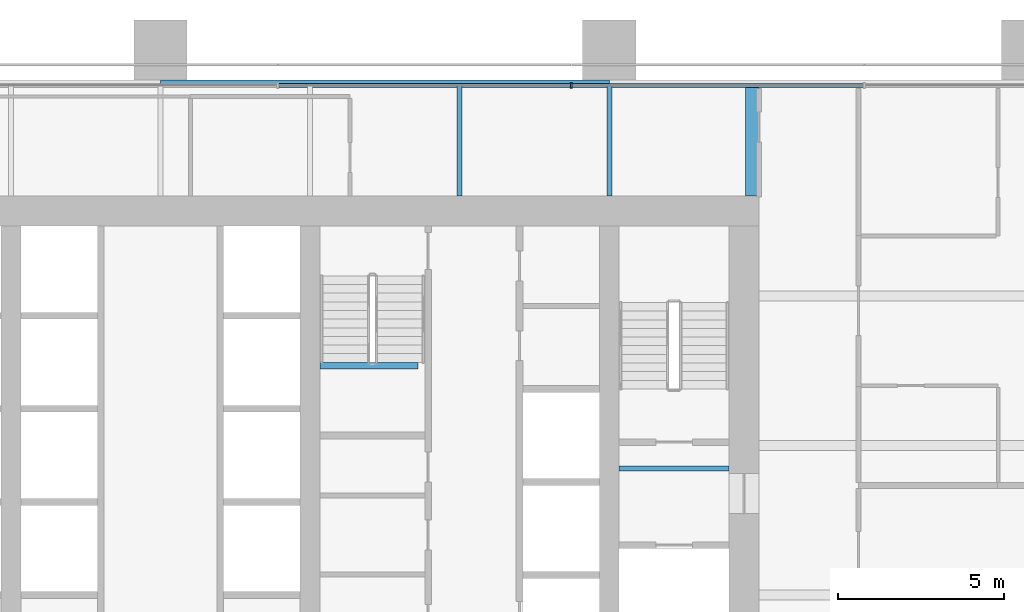
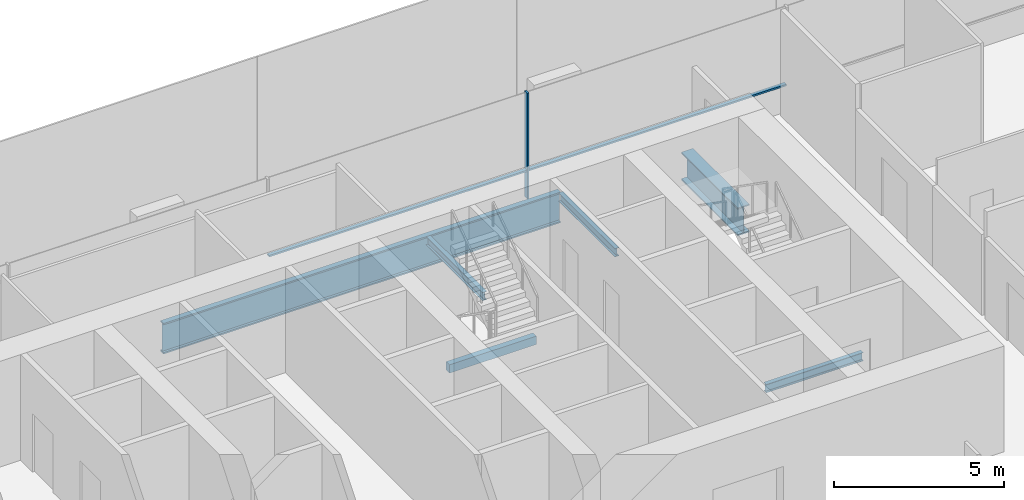
# One storey, part 9 of 19: 6 beams, 3 members, 1 element without a shape of its own.
"""IFC4 building model written with IfcOpenShell, lengths in metres."""

from ifc_helpers import new_model, si_unit, direction, frame, origin, origin_2d, place, context, subcontext, project, spatial, rectangle, i_section, extrude, material, material_profile, profile_set, type_object, element, aggregate, save


model = new_model("IFC4")

# Units and contexts
model_context = context("Model", 3, precision=1e-05, world=origin(), true_north=direction((0.0, 1.0)))
body_context = subcontext(model_context, "Body", "Model", "MODEL_VIEW")
ifc_project = project(units=[si_unit("LENGTHUNIT", "METRE"), si_unit("AREAUNIT", "SQUARE_METRE"), si_unit("VOLUMEUNIT", "CUBIC_METRE"), si_unit("PLANEANGLEUNIT", "RADIAN"), si_unit("MASSUNIT", "GRAM", prefix="KILO")], contexts=[model_context])

# Site, building, storey
site_placement = place(None, origin())
site = spatial("IfcSite", under=ifc_project, at=site_placement, CompositionType="ELEMENT")
building_placement = place(site_placement, origin())
building = spatial("IfcBuilding", under=site, at=building_placement, Name="Rattan Terrace Tower", CompositionType="ELEMENT")
storey_placement = place(building_placement, frame((0.0, 0.0, 103.699951171875)))
storey = spatial("IfcBuildingStorey", under=building, at=storey_placement, Name="L23", CompositionType="ELEMENT", Elevation=103.699951171875)

# Beam
ifc_material_1 = material(Name="Concrete C40/50", Category="concrete")
ifc_material_profile_1 = material_profile(ifc_material_1, rectangle(XDim=0.199951171875, YDim=0.300048828125, at=origin_2d()), Name="RC 200x300")
ifc_profile_set_1 = profile_set([ifc_material_profile_1], Name="Concrete C40/50")
beam_type_1 = type_object("IfcBeamType", Name="Core landing beam RC 200x300", PredefinedType="BEAM", material=ifc_profile_set_1)
beam_1_placement = place(storey_placement, frame((4.800048828125, 2.39990234375, 1.650146484375), z_axis=(1.0, 0.0, 0.0), x_axis=(0.0, 1.0, 0.0)))
element("IfcBeam", 1, at=beam_1_placement, inside=storey, type_object=beam_type_1, Name="st-S3-L23 landing 1 edge beam", PredefinedType="BEAM", context=body_context, shape_type="SweptSolid", body=[
    extrude(rectangle(XDim=0.199951171875, YDim=0.300048828125, at=origin_2d()), origin(), (0.0, 0.0, 1.0), 2.949951171875),
])

# Curtain wall, members
ifc_material_2 = material(Name="Aluminium and glass", Category="aluminium")
curtain_wall_type = type_object("IfcCurtainWallType", Name="Facade Unitised Curtain Wall", PredefinedType="NOTDEFINED", material=ifc_material_2)
curtain_wall_placement = place(storey_placement, origin())
curtain_wall = element("IfcCurtainWall", 2, at=curtain_wall_placement, inside=storey, type_object=curtain_wall_type, Name="Curtain wall L23-2", PredefinedType="NOTDEFINED")
ifc_material_3 = material(Name="Aluminium", Category="aluminium")
ifc_material_profile_2 = material_profile(ifc_material_3, rectangle(XDim=0.06005859375, YDim=0.159912109375, at=origin_2d()), Name="Aluminium 60x160")
ifc_profile_set_2 = profile_set([ifc_material_profile_2], Name="Aluminium")
member_type_1 = type_object("IfcMemberType", Name="Facade CW Mullion 60x160", PredefinedType="MULLION", material=ifc_profile_set_2)
member_1_placement = place(storey_placement, frame((12.35400390625, 10.830078125, 0.0), z_axis=(0.0, 0.0, 1.0), x_axis=(-1.0, 0.0, 0.0)))
member_1 = element("IfcMember", 3, at=member_1_placement, type_object=member_type_1, Name="Mullion cwl-L23-002.3", PredefinedType="MULLION", context=body_context, shape_type="SweptSolid", body=[
    extrude(rectangle(XDim=0.06005859375, YDim=0.159912109375, at=origin_2d()), origin(), (0.0, 0.0, 1.0), 3.800048828125),
])
ifc_material_4 = material(Name="Aluminium", Category="aluminium")
ifc_material_profile_3 = material_profile(ifc_material_4, rectangle(XDim=0.1201171875, YDim=0.06005859375, at=origin_2d()), Name="Aluminium 120x60")
ifc_profile_set_3 = profile_set([ifc_material_profile_3], Name="Aluminium")
member_type_2 = type_object("IfcMemberType", Name="Facade CW Transom 120x60", PredefinedType="USERDEFINED", material=ifc_profile_set_3)
member_2_placement = place(storey_placement, frame((21.14697265625, 10.830078125, 1.0), z_axis=(-1.0, 0.0, 0.0), x_axis=(0.0, -1.0, 0.0)))
member_2 = element("IfcMember", 4, at=member_2_placement, type_object=member_type_2, Name="Transom cwl-L23-002.2", ObjectType="TRANSOM", PredefinedType="USERDEFINED", context=body_context, shape_type="SweptSolid", body=[
    extrude(rectangle(XDim=0.1201171875, YDim=0.06005859375, at=origin_2d()), origin(), (0.0, 0.0, 1.0), 8.762939453125),
])
member_3_placement = place(storey_placement, frame((12.323974609375, 10.830078125, 1.0), z_axis=(-1.0, 0.0, 0.0), x_axis=(0.0, -1.0, 0.0)))
member_3 = element("IfcMember", 5, at=member_3_placement, type_object=member_type_2, Name="Transom cwl-L23-002.3", ObjectType="TRANSOM", PredefinedType="USERDEFINED", context=body_context, shape_type="SweptSolid", body=[
    extrude(rectangle(XDim=0.1201171875, YDim=0.06005859375, at=origin_2d()), origin(), (0.0, 0.0, 1.0), 8.762939453125),
])
aggregate(curtain_wall, [member_1, member_2, member_3])

# Beams
ifc_material_5 = material(Name="Steel S460", Category="steel")
ifc_material_profile_4 = material_profile(ifc_material_5, i_section(OverallWidth=0.39990234375, OverallDepth=1.0, WebThickness=0.01806640625, FlangeThickness=0.044921875, at=origin_2d()), Name="PG 1000x400-18-45")
ifc_profile_set_4 = profile_set([ifc_material_profile_4], Name="Steel S460")
beam_type_2 = type_object("IfcBeamType", Name="Frame core girder PG 1000x400-18-45", PredefinedType="BEAM", material=ifc_profile_set_4)
beam_2_placement = place(storey_placement, frame((17.800048828125, 7.5, -0.699951171875), z_axis=(0.0, 1.0, 0.0), x_axis=(-1.0, 0.0, 0.0)))
element("IfcBeam", 6, at=beam_2_placement, inside=storey, type_object=beam_type_2, Name="gdr-L23-010", PredefinedType="BEAM", context=body_context, shape_type="SweptSolid", body=[
    extrude(i_section(OverallWidth=0.39990234375, OverallDepth=1.0, WebThickness=0.01806640625, FlangeThickness=0.044921875, at=origin_2d()), origin(), (0.0, 0.0, 1.0), 3.320068359375),
])
ifc_material_6 = material(Name="Steel S460", Category="steel")
ifc_material_profile_5 = material_profile(ifc_material_6, i_section(OverallWidth=0.179931640625, OverallDepth=1.10009765625, WebThickness=0.01611328125, FlangeThickness=0.050048828125, at=origin_2d()), Name="PG 1100x180-16-50")
ifc_profile_set_5 = profile_set([ifc_material_profile_5], Name="Steel S460")
beam_type_3 = type_object("IfcBeamType", Name="Frame edge girder PG 1100x180-16-50", PredefinedType="SPANDREL", material=ifc_profile_set_5)
beam_3_placement = place(storey_placement, frame((13.5, 10.909912109375, -0.75), z_axis=(-1.0, 0.0, 0.0), x_axis=(0.0, -1.0, 0.0)))
element("IfcBeam", 7, at=beam_3_placement, inside=storey, type_object=beam_type_3, Name="gdr-L23-007", PredefinedType="SPANDREL", context=body_context, shape_type="SweptSolid", body=[
    extrude(i_section(OverallWidth=0.179931640625, OverallDepth=1.10009765625, WebThickness=0.01611328125, FlangeThickness=0.050048828125, at=origin_2d()), origin(), (0.0, 0.0, 1.0), 13.5),
])
ifc_material_7 = material(Name="Steel S355", Category="steel")
ifc_material_profile_6 = material_profile(ifc_material_7, i_section(OverallWidth=0.14990234375, OverallDepth=0.300048828125, WebThickness=0.007080078125, FlangeThickness=0.0107421875, FilletRadius=0.014892578125, at=origin_2d()), Name="IPE 300")
ifc_profile_set_6 = profile_set([ifc_material_profile_6], Name="Steel S355")
beam_type_4 = type_object("IfcBeamType", Name="Frame floor beam IPE 300", PredefinedType="JOIST", material=ifc_profile_set_6)
beam_4_placement = place(storey_placement, frame((13.800048828125, -0.695068359375, -0.349853515625), z_axis=(1.0, 0.0, 0.0), x_axis=(0.0, 1.0, 0.0)))
element("IfcBeam", 8, at=beam_4_placement, inside=storey, type_object=beam_type_4, Name="bm-L23-002", PredefinedType="JOIST", context=body_context, shape_type="SweptSolid", body=[
    extrude(i_section(OverallWidth=0.14990234375, OverallDepth=0.300048828125, WebThickness=0.007080078125, FlangeThickness=0.0107421875, FilletRadius=0.014892578125, at=origin_2d()), origin(), (0.0, 0.0, 1.0), 3.300048828125),
])
for number, where, z_axis, x_axis, name in (
    (9, (9.0, 7.5, -0.349853515625), (0.0, 1.0, 0.0), (-1.0, 0.0, 0.0), "bm-L23-023"),
    (10, (13.5, 7.5, -0.349853515625), (0.0, 1.0, 0.0), (-1.0, 0.0, 0.0), "bm-L23-024"),
):
    element("IfcBeam", number, at=place(storey_placement, frame(where, z_axis=z_axis, x_axis=x_axis)), inside=storey, type_object=beam_type_4, Name=name, PredefinedType="JOIST", context=body_context, shape_type="SweptSolid", body=[
        extrude(i_section(OverallWidth=0.14990234375, OverallDepth=0.300048828125, WebThickness=0.007080078125, FlangeThickness=0.0107421875, FilletRadius=0.014892578125, at=origin_2d()), origin(), (0.0, 0.0, 1.0), 3.320068359375),
    ])

save(model, "model.ifc")
